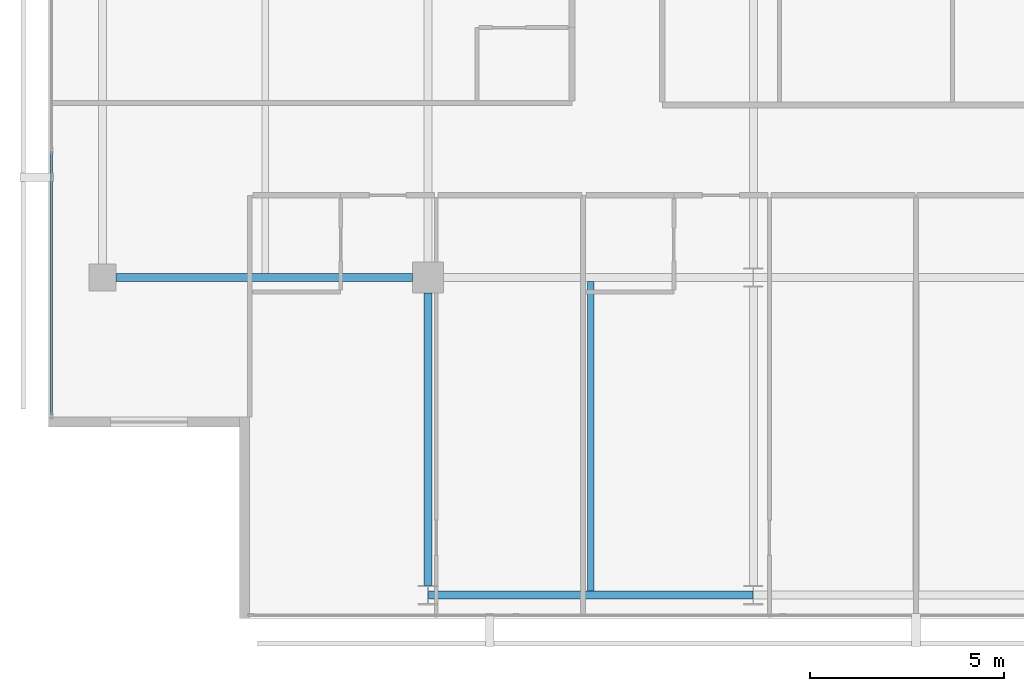
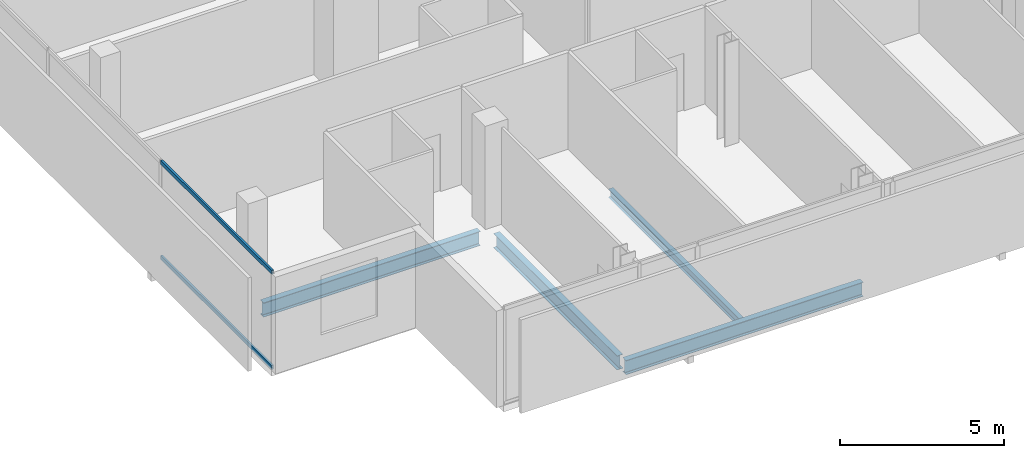
# One storey, part 3 of 25: 4 beams, 2 members, 1 element without a shape of its own.
"""IFC4 building model written with IfcOpenShell, lengths in metres."""

from ifc_helpers import new_model, si_unit, direction, frame, origin, origin_2d, place, context, subcontext, project, spatial, hollow_rectangle, i_section, extrude, material, layer, layer_set, material_profile, profile_set, type_object, element, aggregate, save


model = new_model("IFC4")

# Units and contexts
model_context = context("Model", 3, precision=1e-05, world=origin(), true_north=direction((0.0, 1.0)))
body_context = subcontext(model_context, "Body", "Model", "MODEL_VIEW")
ifc_project = project(units=[si_unit("LENGTHUNIT", "METRE"), si_unit("AREAUNIT", "SQUARE_METRE"), si_unit("VOLUMEUNIT", "CUBIC_METRE"), si_unit("PLANEANGLEUNIT", "RADIAN"), si_unit("MASSUNIT", "GRAM", prefix="KILO")], contexts=[model_context])

# Site, building, storey
site_placement = place(None, origin())
site = spatial("IfcSite", under=ifc_project, at=site_placement, CompositionType="ELEMENT")
building_placement = place(site_placement, origin())
building = spatial("IfcBuilding", under=site, at=building_placement, Name="Maruvema Waterfront Hotel and Observation Tower", CompositionType="ELEMENT")
storey_placement = place(building_placement, frame((0.0, 0.0, 250.949951171875)))
storey = spatial("IfcBuildingStorey", under=building, at=storey_placement, Name="L61", CompositionType="ELEMENT", Elevation=250.949951171875)

# Curtain wall, members
ifc_material_1 = material(Name="Anodised bronze aluminium and solar-control low-E IGU", Category="aluminium")
ifc_layer = layer(ifc_material_1, 0.159912109375, Name="Zone 3 Champagne Inner Thermal Curtain Wall System CW-04")
ifc_layer_set = layer_set([ifc_layer], Name="Anodised bronze aluminium and solar-control low-E IGU")
curtain_wall_type = type_object("IfcCurtainWallType", Name="Zone 3 Champagne Inner Thermal Curtain Wall System CW-04", PredefinedType="USERDEFINED", material=ifc_layer_set)
curtain_wall_placement = place(storey_placement, origin())
curtain_wall = element("IfcCurtainWall", 1, at=curtain_wall_placement, inside=storey, type_object=curtain_wall_type, Name="L61 Curtain Wall CW-L61-W", ObjectType="UNITISED CURTAIN WALL", PredefinedType="USERDEFINED")
ifc_material_2 = material(Name="Anodised architectural bronze aluminium", Category="aluminium")
ifc_material_profile_1 = material_profile(ifc_material_2, hollow_rectangle(XDim=0.070068359375, YDim=0.14990234375, WallThickness=0.00390625, at=origin_2d()), Name="ALU-T70x150")
ifc_profile_set_1 = profile_set([ifc_material_profile_1], Name="Anodised architectural bronze aluminium")
member_type = type_object("IfcMemberType", Name="Curtain Wall Horizontal Transom ALU-T70x150", PredefinedType="USERDEFINED", material=ifc_profile_set_1)
member_1_placement = place(storey_placement, frame((15.47998046875, 21.25, 0.030029296875), z_axis=(0.0, -1.0, 0.0), x_axis=(1.0, 0.0, 0.0)))
member_1 = element("IfcMember", 2, at=member_1_placement, type_object=member_type, Name="CW-04 transom 5.1", ObjectType="TRANSOM", PredefinedType="USERDEFINED", context=body_context, shape_type="SweptSolid", body=[
    extrude(hollow_rectangle(XDim=0.070068359375, YDim=0.14990234375, WallThickness=0.00390625, at=origin_2d()), origin(), (0.0, 0.0, 1.0), 6.7900390625),
])
member_2_placement = place(storey_placement, frame((15.47998046875, 21.25, 3.580078125), z_axis=(0.0, -1.0, 0.0), x_axis=(1.0, 0.0, 0.0)))
member_2 = element("IfcMember", 3, at=member_2_placement, type_object=member_type, Name="CW-04 transom 5.2", ObjectType="TRANSOM", PredefinedType="USERDEFINED", context=body_context, shape_type="SweptSolid", body=[
    extrude(hollow_rectangle(XDim=0.070068359375, YDim=0.14990234375, WallThickness=0.00390625, at=origin_2d()), origin(), (0.0, 0.0, 1.0), 6.7900390625),
])
aggregate(curtain_wall, [member_1, member_2])

# Beams
ifc_material_3 = material(Name="Steel ASTM A572 Grade 50", Category="steel")
ifc_material_profile_2 = material_profile(ifc_material_3, i_section(OverallWidth=0.208984375, OverallDepth=0.532958984375, WebThickness=0.01025390625, FlangeThickness=0.015625, FilletRadius=0.014892578125, at=origin_2d()), Name="W530x92.0")
ifc_profile_set_2 = profile_set([ifc_material_profile_2], Name="Steel ASTM A572 Grade 50")
beam_type_1 = type_object("IfcBeamType", Name="Primary Floor Girder W530x92.0", PredefinedType="BEAM", material=ifc_profile_set_2)
beam_1_placement = place(storey_placement, frame((25.2109375, 9.800048828125, -0.50634765625), z_axis=(1.0, 0.0, 0.0), x_axis=(0.0, 1.0, 0.0)))
element("IfcBeam", 4, at=beam_1_placement, inside=storey, type_object=beam_type_1, Name="L61 Floor Girder EW-01", PredefinedType="BEAM", context=body_context, shape_type="SweptSolid", body=[
    extrude(i_section(OverallWidth=0.208984375, OverallDepth=0.532958984375, WebThickness=0.01025390625, FlangeThickness=0.015625, FilletRadius=0.014892578125, at=origin_2d()), origin(), (0.0, 0.0, 1.0), 8.378173828125),
])
beam_2_placement = place(storey_placement, frame((17.14990234375, 18.0, -0.50634765625), z_axis=(1.0, 0.0, 0.0), x_axis=(0.0, 1.0, 0.0)))
element("IfcBeam", 5, at=beam_2_placement, inside=storey, type_object=beam_type_1, Name="L61 Floor Girder EW-04", PredefinedType="BEAM", context=body_context, shape_type="SweptSolid", body=[
    extrude(i_section(OverallWidth=0.208984375, OverallDepth=0.532958984375, WebThickness=0.01025390625, FlangeThickness=0.015625, FilletRadius=0.014892578125, at=origin_2d()), origin(), (0.0, 0.0, 1.0), 7.650146484375),
])
beam_3_placement = place(storey_placement, frame((25.199951171875, 10.050048828125, -0.50634765625), z_axis=(0.0, 1.0, 0.0), x_axis=(-1.0, 0.0, 0.0)))
element("IfcBeam", 6, at=beam_3_placement, inside=storey, type_object=beam_type_1, Name="L61 Floor Girder NS-04", PredefinedType="BEAM", context=body_context, shape_type="SweptSolid", body=[
    extrude(i_section(OverallWidth=0.208984375, OverallDepth=0.532958984375, WebThickness=0.01025390625, FlangeThickness=0.015625, FilletRadius=0.014892578125, at=origin_2d()), origin(), (0.0, 0.0, 1.0), 7.550048828125),
])
ifc_material_4 = material(Name="Steel ASTM A572 Grade 50", Category="steel")
ifc_material_profile_3 = material_profile(ifc_material_4, i_section(OverallWidth=0.1650390625, OverallDepth=0.31005859375, WebThickness=0.005859375, FlangeThickness=0.009765625, FilletRadius=0.012939453125, at=origin_2d()), Name="W310x38.7")
ifc_profile_set_3 = profile_set([ifc_material_profile_3], Name="Steel ASTM A572 Grade 50")
beam_type_2 = type_object("IfcBeamType", Name="Secondary Floor Joist W310x38.7", PredefinedType="JOIST", material=ifc_profile_set_3)
beam_4_placement = place(storey_placement, frame((29.39990234375, 9.904541015625, -0.39501953125), z_axis=(0.0, 1.0, 0.0), x_axis=(-1.0, 0.0, 0.0)))
element("IfcBeam", 7, at=beam_4_placement, inside=storey, type_object=beam_type_2, Name="L61 Secondary Floor Joist JS-04", PredefinedType="JOIST", context=body_context, shape_type="SweptSolid", body=[
    extrude(i_section(OverallWidth=0.1650390625, OverallDepth=0.31005859375, WebThickness=0.005859375, FlangeThickness=0.009765625, FilletRadius=0.012939453125, at=origin_2d()), origin(), (0.0, 0.0, 1.0), 7.990966796875),
])

save(model, "model.ifc")
